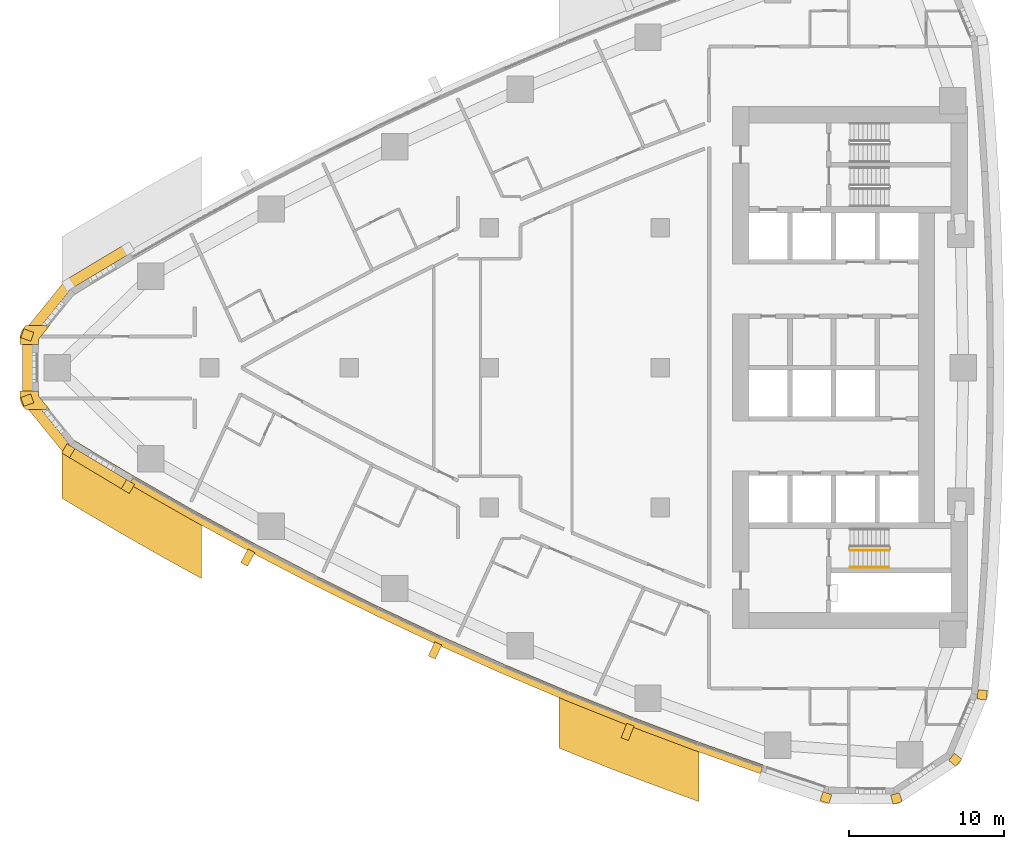
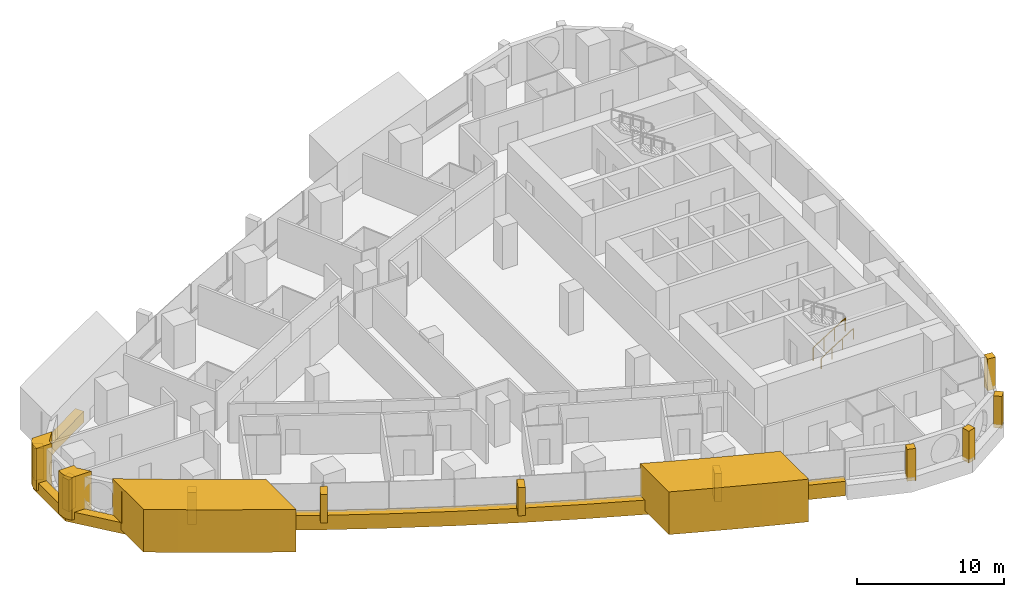
# One storey, part 14 of 17: 17 coverings, 2 railings.
"""IFC4 building model written with IfcOpenShell, lengths in metres."""

from ifc_helpers import new_model, si_unit, direction, frame, frame_2d, origin, origin_2d, place, context, subcontext, project, spatial, polyline, rectangle, circle, outline, extrude, material, layer, layer_set, type_object, element, save


model = new_model("IFC4")

# Units and contexts
model_context = context("Model", 3, precision=1e-05, world=origin(), true_north=direction((0.0, 1.0)))
body_context = subcontext(model_context, "Body", "Model", "MODEL_VIEW")
ifc_project = project(units=[si_unit("LENGTHUNIT", "METRE"), si_unit("AREAUNIT", "SQUARE_METRE"), si_unit("VOLUMEUNIT", "CUBIC_METRE"), si_unit("PLANEANGLEUNIT", "RADIAN"), si_unit("MASSUNIT", "GRAM", prefix="KILO")], contexts=[model_context])

# Site, building, storey
site_placement = place(None, origin())
site = spatial("IfcSite", under=ifc_project, at=site_placement, CompositionType="ELEMENT")
building_placement = place(site_placement, origin())
building = spatial("IfcBuilding", under=site, at=building_placement, Name="Ostrand Prow Hotel Tower", CompositionType="ELEMENT")
storey_placement = place(building_placement, frame((0.0, 0.0, 92.0)))
storey = spatial("IfcBuildingStorey", under=building, at=storey_placement, Name="L21", CompositionType="ELEMENT", Elevation=92.0)

# Coverings
ifc_material_1 = material(Name="Bronze anodised aluminium cladding", Category="aluminium")
ifc_layer_1 = layer(ifc_material_1, 0.60009765625)
ifc_layer_set_1 = layer_set([ifc_layer_1], Name="Bronze anodised aluminium cladding")
covering_type_1 = type_object("IfcCoveringType", Name="Bronze prow band 899x600", PredefinedType="CLADDING", material=ifc_layer_set_1)
covering_1_placement = place(storey_placement, frame((0.0, 0.0, -0.300048828125)))
element("IfcCovering", 1, at=covering_1_placement, inside=storey, type_object=covering_type_1, Name="Bronze prow band", PredefinedType="CLADDING", context=body_context, shape_type="SweptSolid", body=[
    extrude(outline(polyline([(10.580810546875, 7.9453125), (6.734130859375, 5.637939453125), (3.957763671875, 2.206787109375), (3.957763671875, -2.206787109375), (6.734130859375, -5.637939453125), (10.580810546875, -7.9453125), (10.9248046875, -7.358642578125), (7.089599609375, -5.058349609375), (4.598876953125, -1.97998046875), (4.598876953125, 1.97998046875), (7.089599609375, 5.058349609375), (10.9248046875, 7.358642578125), (10.580810546875, 7.9453125)])), origin(), (0.0, 0.0, 1.0), 0.900146484375),
])
ifc_material_2 = material(Name="Bronze anodised aluminium cladding", Category="aluminium")
ifc_layer_2 = layer(ifc_material_2, 0.60009765625)
ifc_layer_set_2 = layer_set([ifc_layer_2], Name="Bronze anodised aluminium cladding")
covering_type_2 = type_object("IfcCoveringType", Name="Bronze spandrel band 1200x600", PredefinedType="CLADDING", material=ifc_layer_set_2)
covering_2_placement = place(storey_placement, frame((0.0, 0.0, -0.300048828125)))
element("IfcCovering", 2, at=covering_2_placement, inside=storey, type_object=covering_type_2, Name="Spandrel band S1", PredefinedType="CLADDING", context=body_context, shape_type="SweptSolid", body=[
    extrude(outline(polyline([(10.841064453125, -7.50146484375), (14.72412109375, -9.726318359375), (18.651123046875, -11.872802734375), (22.620361328125, -13.940185546875), (26.6298828125, -15.927734375), (30.6787109375, -17.834716796875), (34.764892578125, -19.659912109375), (38.88671875, -21.4033203125), (43.042724609375, -23.0634765625), (47.231201171875, -24.64013671875), (51.4501953125, -26.1328125), (51.644775390625, -25.56494140625), (47.43701171875, -24.076416015625), (43.259765625, -22.504150390625), (39.114990234375, -20.848388671875), (35.004150390625, -19.10986328125), (30.928955078125, -17.289306640625), (26.89111328125, -15.3876953125), (22.89208984375, -13.4052734375), (18.93359375, -11.343505859375), (15.01708984375, -9.20263671875), (11.144287109375, -6.98388671875), (10.841064453125, -7.50146484375)])), origin(), (0.0, 0.0, 1.0), 1.199951171875),
])
ifc_material_3 = material(Name="Limestone cladding", Category="masonry")
ifc_layer_3 = layer(ifc_material_3, 5.0)
ifc_layer_set_3 = layer_set([ifc_layer_3], Name="Limestone cladding")
covering_type_3 = type_object("IfcCoveringType", Name="Portal jamb pilaster limestone", PredefinedType="CLADDING", material=ifc_layer_set_3)
covering_3_placement = place(storey_placement, origin())
element("IfcCovering", 3, at=covering_3_placement, inside=storey, type_object=covering_type_3, Name="Portal jamb SA L21", PredefinedType="CLADDING", context=body_context, shape_type="SweptSolid", body=[
    extrude(outline(polyline([(6.5, -4.184326171875), (6.5, -8.40625), (7.5, -9.0087890625), (8.5, -9.604248046875), (9.5, -10.19287109375), (10.5, -10.7744140625), (11.5, -11.349365234375), (12.5, -11.91748046875), (13.5, -12.478759765625), (14.5, -13.03369140625), (15.5, -13.581787109375), (15.5, -9.47216796875), (14.5, -8.912353515625), (13.5, -8.345703125), (12.5, -7.772216796875), (11.5, -7.19189453125), (10.5, -6.6044921875), (9.5, -6.01025390625), (8.5, -5.40869140625), (7.5, -4.80029296875), (6.5, -4.184326171875)])), origin(), (0.0, 0.0, 1.0), 3.550048828125),
])
covering_4_placement = place(storey_placement, origin())
element("IfcCovering", 4, at=covering_4_placement, inside=storey, type_object=covering_type_3, Name="Portal jamb SB L21", PredefinedType="CLADDING", context=body_context, shape_type="SweptSolid", body=[
    extrude(outline(polyline([(38.5, -20.59423828125), (38.5, -24.486083984375), (39.5, -24.890380859375), (40.5, -25.2890625), (41.5, -25.68212890625), (42.5, -26.06982421875), (43.5, -26.4521484375), (44.5, -26.8291015625), (45.5, -27.200439453125), (46.5, -27.566650390625), (47.5, -27.927490234375), (47.5, -24.099609375), (46.5, -23.732177734375), (45.5, -23.359130859375), (44.5, -22.98095703125), (43.5, -22.59716796875), (42.5, -22.207763671875), (41.5, -21.812744140625), (40.5, -21.412353515625), (39.5, -21.006103515625), (38.5, -20.59423828125)])), origin(), (0.0, 0.0, 1.0), 3.550048828125),
])
ifc_material_4 = material(Name="Limestone cladding", Category="masonry")
ifc_layer_4 = layer(ifc_material_4, 0.5)
ifc_layer_set_4 = layer_set([ifc_layer_4], Name="Limestone cladding")
covering_type_4 = type_object("IfcCoveringType", Name="Precast stone fin 500x900", PredefinedType="CLADDING", material=ifc_layer_set_4)
for number, where, z_axis, x_axis, name in (
    (5, (18.6982421875, -11.78466796875, 0.89990234375), (0.0, 0.0, 1.0), (-0.470981038243, -0.882143333941, 0.0), "Stone fin S 3"),
    (6, (30.720458984375, -17.74365234375, 0.89990234375), (0.0, 0.0, 1.0), (-0.416982531796, -0.908914499927, 0.0), "Stone fin S 6"),
    (7, (43.0791015625, -22.97021484375, 0.89990234375), (0.0, 0.0, 1.0), (-0.361774694157, -0.932265558019, 0.0), "Stone fin S 9"),
):
    element("IfcCovering", number, at=place(storey_placement, frame(where, z_axis=z_axis, x_axis=x_axis)), inside=storey, type_object=covering_type_4, Name=name, PredefinedType="CLADDING", context=body_context, shape_type="SweptSolid", body=[
        extrude(rectangle(XDim=1.0, YDim=0.5, at=frame_2d((0.5, 0.0))), origin(), (0.0, 0.0, 1.0), 2.35009765625),
    ])
ifc_material_5 = material(Name="Limestone cladding", Category="masonry")
ifc_layer_5 = layer(ifc_material_5, 0.60009765625)
ifc_layer_set_5 = layer_set([ifc_layer_5], Name="Limestone cladding")
covering_type_5 = type_object("IfcCoveringType", Name="Precast stone prow rib 600x600", PredefinedType="CLADDING", material=ifc_layer_set_5)
for number, where, z_axis, x_axis, name in (
    (8, (4.598876953125, 1.97998046875, 0.60009765625), (0.0, 0.0, 1.0), (-0.942744850171, 0.333514838465, 0.0), "Stone prow rib 3"),
    (9, (4.598876953125, -1.97998046875, 0.60009765625), (0.0, 0.0, 1.0), (-0.942744850171, -0.333514838465, 0.0), "Stone prow rib 4"),
    (10, (7.089599609375, -5.058349609375, 0.60009765625), (0.0, 0.0, 1.0), (-0.522814637618, -0.852446394029, 0.0), "Stone prow rib 5"),
):
    element("IfcCovering", number, at=place(storey_placement, frame(where, z_axis=z_axis, x_axis=x_axis)), inside=storey, type_object=covering_type_5, Name=name, PredefinedType="CLADDING", context=body_context, shape_type="SweptSolid", body=[
        extrude(rectangle(XDim=0.679931640625, YDim=0.60009765625, at=frame_2d((0.33984375, 0.0))), origin(), (0.0, 0.0, 1.0), 2.64990234375),
    ])
covering_5_placement = place(storey_placement, frame((10.9248046875, -7.358642578125, 0.60009765625), z_axis=(0.0, 0.0, 1.0), x_axis=(-0.505811626043, -0.862643958397, 0.0)))
element("IfcCovering", 11, at=covering_5_placement, inside=storey, type_object=covering_type_5, Name="Stone prow rib 6", PredefinedType="CLADDING", context=body_context, shape_type="SweptSolid", body=[
    extrude(rectangle(XDim=0.68017578125, YDim=0.60009765625, at=frame_2d((0.340087890625, 0.0))), origin(), (0.0, 0.0, 1.0), 2.64990234375),
])
covering_6_placement = place(storey_placement, frame((55.7490234375, -27.3828125, 0.60009765625), z_axis=(0.0, 0.0, 1.0), x_axis=(-0.305218682065, -0.952282288042, 0.0)))
element("IfcCovering", 12, at=covering_6_placement, inside=storey, type_object=covering_type_5, Name="Stone corner rib 2a", PredefinedType="CLADDING", context=body_context, shape_type="SweptSolid", body=[
    extrude(rectangle(XDim=0.599853515625, YDim=0.60009765625, at=frame_2d((0.2998046875, 0.0))), origin(), (0.0, 0.0, 1.0), 2.64990234375),
])
covering_7_placement = place(storey_placement, frame((60.104736328125, -27.437744140625, 0.60009765625), z_axis=(0.0, 0.0, 1.0), x_axis=(0.280734221166, -0.959785547436, 0.0)))
element("IfcCovering", 13, at=covering_7_placement, inside=storey, type_object=covering_type_5, Name="Stone corner rib 3a", PredefinedType="CLADDING", context=body_context, shape_type="SweptSolid", body=[
    extrude(rectangle(XDim=0.60009765625, YDim=0.60009765625, at=frame_2d((0.300048828125, 0.0))), origin(), (0.0, 0.0, 1.0), 2.64990234375),
])
for number, where, z_axis, x_axis, name in (
    (14, (63.74365234375, -25.043212890625, 0.60009765625), (0.0, 0.0, 1.0), (0.770318500913, -0.637659319034, 0.0), "Stone corner rib 4a"),
    (15, (65.41650390625, -21.02099609375, 0.60009765625), (0.0, 0.0, 1.0), (0.99529571972, -0.096883591531, 0.0), "Stone corner rib 4b"),
):
    element("IfcCovering", number, at=place(storey_placement, frame(where, z_axis=z_axis, x_axis=x_axis)), inside=storey, type_object=covering_type_5, Name=name, PredefinedType="CLADDING", context=body_context, shape_type="SweptSolid", body=[
        extrude(rectangle(XDim=0.599853515625, YDim=0.60009765625, at=frame_2d((0.2998046875, 0.0))), origin(), (0.0, 0.0, 1.0), 2.64990234375),
    ])
ifc_material_6 = material(Name="Limestone cladding", Category="masonry")
ifc_layer_6 = layer(ifc_material_6, 3.0)
ifc_layer_set_6 = layer_set([ifc_layer_6], Name="Limestone cladding")
covering_type_6 = type_object("IfcCoveringType", Name="Prow nose pier limestone", PredefinedType="CLADDING", material=ifc_layer_set_6)
covering_8_placement = place(storey_placement, origin())
element("IfcCovering", 16, at=covering_8_placement, inside=storey, type_object=covering_type_6, Name="Prow spine fin N L21", PredefinedType="CLADDING", context=body_context, shape_type="SweptSolid", body=[
    extrude(outline(polyline([(3.808349609375, 1.8349609375), (3.808349609375, 1.5), (5.00830078125, 1.5), (5.00830078125, 1.8349609375), (5.708251953125, 2.699951171875), (4.16455078125, 2.699951171875), (4.075439453125, 2.58984375), (4.006591796875, 2.495849609375), (3.947265625, 2.3955078125), (3.897705078125, 2.289794921875), (3.85888671875, 2.179931640625), (3.830810546875, 2.06689453125), (3.81396484375, 1.951416015625), (3.808349609375, 1.8349609375)])), origin(), (0.0, 0.0, 1.0), 3.550048828125),
])
covering_9_placement = place(storey_placement, origin())
element("IfcCovering", 17, at=covering_9_placement, inside=storey, type_object=covering_type_6, Name="Prow spine fin S L21", PredefinedType="CLADDING", context=body_context, shape_type="SweptSolid", body=[
    extrude(outline(polyline([(4.075439453125, -2.58984375), (4.16455078125, -2.699951171875), (5.708251953125, -2.699951171875), (5.00830078125, -1.8349609375), (5.00830078125, -1.5), (3.808349609375, -1.5), (3.808349609375, -1.8349609375), (3.81396484375, -1.951416015625), (3.830810546875, -2.06689453125), (3.85888671875, -2.179931640625), (3.897705078125, -2.289794921875), (3.947265625, -2.3955078125), (4.006591796875, -2.495849609375), (4.075439453125, -2.58984375)])), origin(), (0.0, 0.0, 1.0), 3.550048828125),
])

# Railings
ifc_material_7 = material(Name="Painted steel", Category="steel")
railing_type_1 = type_object("IfcRailingType", Name="Stair guard 1100", PredefinedType="GUARDRAIL", material=ifc_material_7)
railing_1_placement = place(storey_placement, frame((57.199951171875, -11.75, 0.177490234375)))
element("IfcRailing", 18, at=railing_1_placement, inside=storey, type_object=railing_type_1, Name="L21 ST2C stair guard 1", PredefinedType="GUARDRAIL", context=body_context, shape_type="SweptSolid", body=[
    extrude(circle(Radius=0.02392578125, at=origin_2d()), frame((0.0, 0.0, 1.076171875), z_axis=(0.84460694969, 0.0, 0.535386869969), x_axis=(0.0, 1.0, 0.0)), (0.0, 0.0, 1.0), 2.983642578125),
    extrude(circle(Radius=0.02099609375, at=origin_2d()), origin(), (0.0, 0.0, 1.0), 1.052001953125),
    extrude(circle(Radius=0.02099609375, at=origin_2d()), frame((0.840087890625, 0.0, 0.532470703125)), (0.0, 0.0, 1.0), 1.052001953125),
    extrude(circle(Radius=0.02099609375, at=origin_2d()), frame((1.679931640625, 0.0, 1.06494140625)), (0.0, 0.0, 1.0), 1.052001953125),
    extrude(circle(Radius=0.02099609375, at=origin_2d()), frame((2.52001953125, 0.0, 1.597412109375)), (0.0, 0.0, 1.0), 1.052001953125),
])
ifc_material_8 = material(Name="Stainless steel", Category="steel")
railing_type_2 = type_object("IfcRailingType", Name="Stair handrail 900", PredefinedType="HANDRAIL", material=ifc_material_8)
railing_2_placement = place(storey_placement, frame((57.199951171875, -12.85009765625, 0.177490234375)))
element("IfcRailing", 19, at=railing_2_placement, inside=storey, type_object=railing_type_2, Name="L21 ST2C stair handrail 1", PredefinedType="HANDRAIL", context=body_context, shape_type="SweptSolid", body=[
    extrude(circle(Radius=0.02392578125, at=origin_2d()), frame((0.0, 0.0, 0.8759765625), z_axis=(0.84460694969, 0.0, 0.535386869969), x_axis=(0.0, 1.0, 0.0)), (0.0, 0.0, 1.0), 2.983642578125),
    extrude(circle(Radius=0.02099609375, at=origin_2d()), origin(), (0.0, 0.0, 1.0), 0.851806640625),
    extrude(circle(Radius=0.02099609375, at=origin_2d()), frame((0.840087890625, 0.0, 0.532470703125)), (0.0, 0.0, 1.0), 0.851806640625),
    extrude(circle(Radius=0.02099609375, at=origin_2d()), frame((1.679931640625, 0.0, 1.06494140625)), (0.0, 0.0, 1.0), 0.851806640625),
    extrude(circle(Radius=0.02099609375, at=origin_2d()), frame((2.52001953125, 0.0, 1.597412109375)), (0.0, 0.0, 1.0), 0.851806640625),
])

save(model, "model.ifc")
